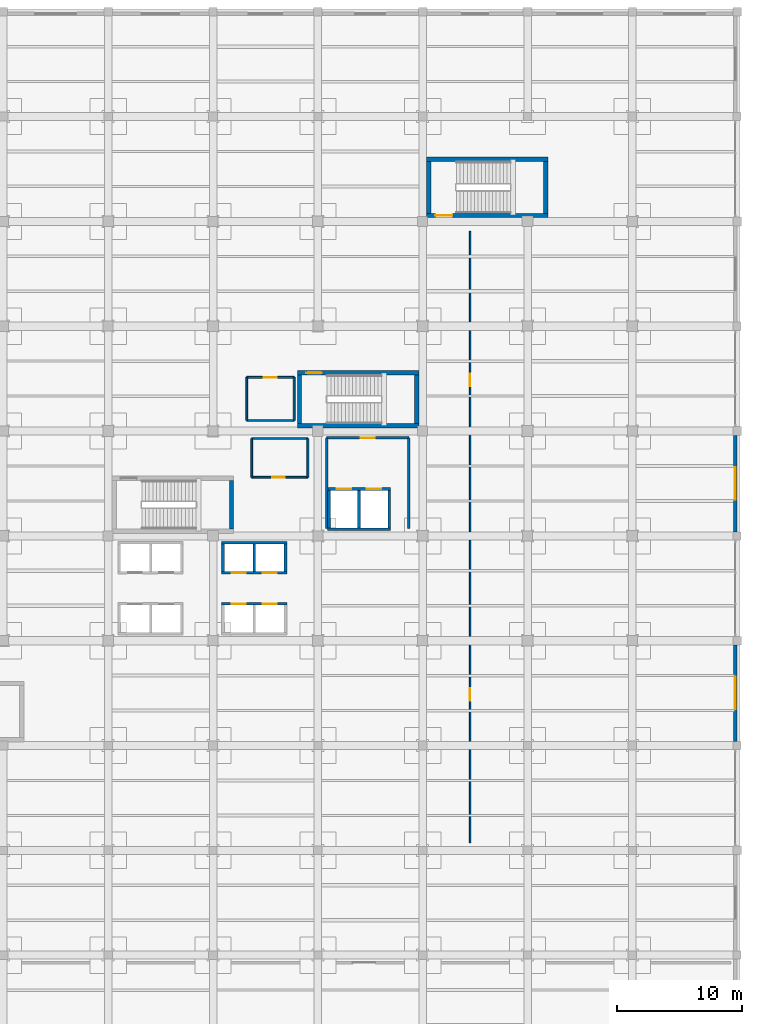
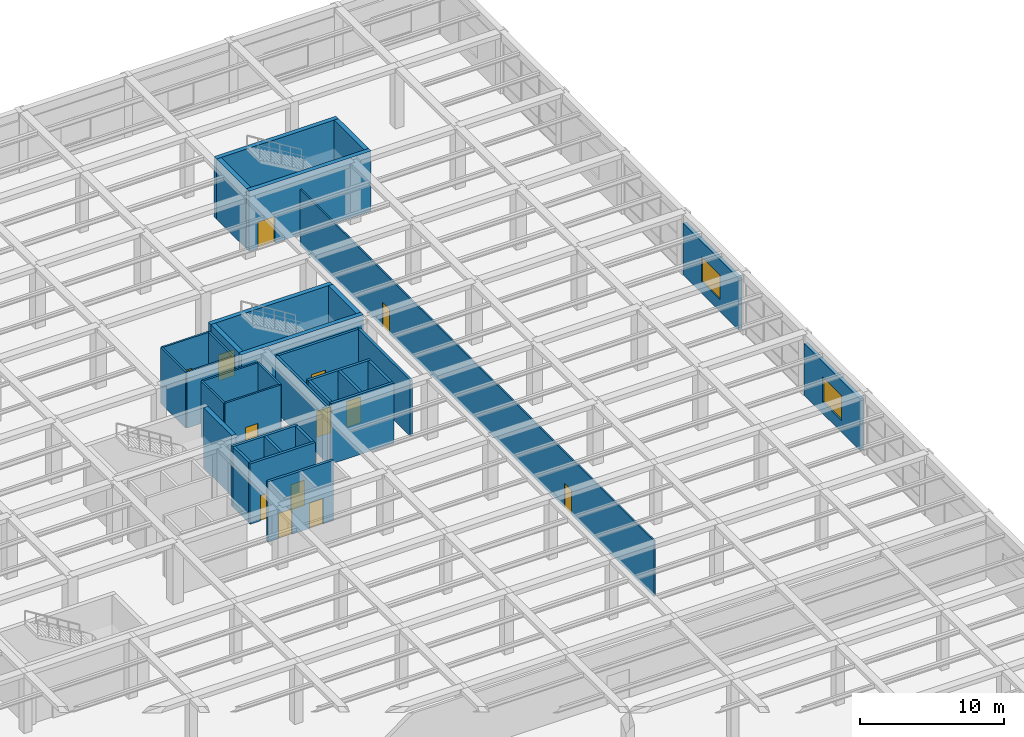
# One storey, part 52 of 65: 34 walls, 13 doors, 2 windows, 15 openings.
"""IFC4 building model written with IfcOpenShell, lengths in metres."""

from ifc_helpers import new_model, si_unit, direction, frame, frame_2d, origin, place, context, subcontext, project, spatial, rectangle, extrude, material, layer, layer_set, type_object, element, fill, save


model = new_model("IFC4")

# Units and contexts
model_context = context("Model", 3, precision=1e-05, world=origin(), true_north=direction((0.0, 1.0)))
body_context = subcontext(model_context, "Body", "Model", "MODEL_VIEW")
ifc_project = project(units=[si_unit("LENGTHUNIT", "METRE"), si_unit("AREAUNIT", "SQUARE_METRE"), si_unit("VOLUMEUNIT", "CUBIC_METRE"), si_unit("PLANEANGLEUNIT", "RADIAN"), si_unit("MASSUNIT", "GRAM", prefix="KILO")], contexts=[model_context])

# Site, building, storey
site_placement = place(None, origin())
site = spatial("IfcSite", under=ifc_project, at=site_placement, CompositionType="ELEMENT")
building_placement = place(site_placement, origin())
building = spatial("IfcBuilding", under=site, at=building_placement, Name="Almacenes y Pasaje Nevantli", CompositionType="ELEMENT")
storey_placement = place(building_placement, frame((0.0, 0.0, 16.800048828125)))
storey = spatial("IfcBuildingStorey", under=building, at=storey_placement, Name="L04", CompositionType="ELEMENT", Elevation=16.800048828125)

# Wall, opening, door
ifc_material_1 = material(Name="Fire-Rated Concrete Blockwork", Category="masonry")
ifc_layer_1 = layer(ifc_material_1, 0.199951171875)
ifc_layer_set_1 = layer_set([ifc_layer_1], Name="Fire-Rated Concrete Blockwork")
wall_type_1 = type_object("IfcWallType", Name="WL-COMP-200", PredefinedType="PARTITIONING", material=ifc_layer_set_1)
wall_1_placement = place(storey_placement, frame((135.10009765625, 83.449951171875, 0.0), z_axis=(0.0, 0.0, 1.0), x_axis=(1.0, 0.0, 0.0)))
wall_1 = element("IfcWall", 1, at=wall_1_placement, inside=storey, type_object=wall_type_1, Name="L04 Interior Partition Wall IW-200 #82", PredefinedType="PARTITIONING", context=body_context, shape_type="SweptSolid", body=[
    extrude(rectangle(XDim=6.599853515625, YDim=0.199951171875, at=frame_2d((3.2998046875, 0.0))), origin(), (0.0, 0.0, 1.0), 4.719970703125),
])
opening_1_placement = place(wall_1_placement, frame((2.75, 0.0, 0.0)))
opening_1 = element("IfcOpeningElement", 2, at=opening_1_placement, cuts=wall_1, Name="Opening ID-L04-041", PredefinedType="OPENING", context=body_context, shape_type="SweptSolid", body=[
    extrude(rectangle(XDim=1.10009765625, YDim=2.199951171875, at=frame_2d((0.550048828125, 1.10009765625))), frame((0.0, 0.10986328125, 0.0), z_axis=(0.0, -1.0, 0.0), x_axis=(1.0, 0.0, 0.0)), (0.0, 0.0, 1.0), 0.219970703125),
])
ifc_material_2 = material(Name="Galvanized Fire-Rated Steel", Category="steel")
door_type_1 = type_object("IfcDoorType", Name="DR-FD90-1100R", OperationType="SINGLE_SWING_RIGHT", PredefinedType="DOOR", material=ifc_material_2)
door_1_placement = place(opening_1_placement, origin())
door_1 = element("IfcDoor", 3, at=door_1_placement, inside=storey, type_object=door_type_1, Name="L04 Firefighting Lobby Door", OperationType="SINGLE_SWING_RIGHT", OverallHeight=2.199951171875, OverallWidth=1.10009765625, PredefinedType="DOOR", context=body_context, shape_type="SweptSolid", body=[
    extrude(rectangle(XDim=1.10009765625, YDim=2.199951171875, at=frame_2d((0.550048828125, 1.10009765625))), frame((0.0, 0.02490234375, 0.0), z_axis=(0.0, -1.0, 0.0), x_axis=(1.0, 0.0, 0.0)), (0.0, 0.0, 1.0), 0.050048828125),
])
fill(opening_1, door_1)

# Walls
for number, where, z_axis, x_axis, name in (
    (4, (135.10009765625, 76.199951171875, 0.0), (0.0, 0.0, 1.0), (0.0, 1.0, 0.0), "L04 Interior Partition Wall IW-200 #83"),
    (5, (141.699951171875, 76.199951171875, 0.0), (0.0, 0.0, 1.0), (0.0, 1.0, 0.0), "L04 Interior Partition Wall IW-200 #84"),
):
    element("IfcWall", number, at=place(storey_placement, frame(where, z_axis=z_axis, x_axis=x_axis)), inside=storey, type_object=wall_type_1, Name=name, PredefinedType="PARTITIONING", context=body_context, shape_type="SweptSolid", body=[
        extrude(rectangle(XDim=7.25, YDim=0.199951171875, at=frame_2d((3.625, 0.0))), origin(), (0.0, 0.0, 1.0), 4.719970703125),
    ])
ifc_material_3 = material(Name="Concrete C45/55", Category="concrete")
ifc_layer_2 = layer(ifc_material_3, 0.35009765625)
ifc_layer_set_2 = layer_set([ifc_layer_2], Name="Concrete C45/55")
wall_type_2 = type_object("IfcWallType", Name="WL-CORE-350", PredefinedType="SHEAR", material=ifc_layer_set_2)
wall_2_placement = place(storey_placement, frame((127.47509765625, 76.14990234375, 0.0), z_axis=(0.0, 0.0, 1.0), x_axis=(0.0, 1.0, 0.0)))
element("IfcWall", 6, at=wall_2_placement, inside=storey, type_object=wall_type_2, Name="L04 Exit Stair ST-01 East Core Shear Wall", PredefinedType="SHEAR", context=body_context, shape_type="SweptSolid", body=[
    extrude(rectangle(XDim=3.89013671875, YDim=0.35009765625, at=frame_2d((1.945068359375, 0.0))), origin(), (0.0, 0.0, 1.0), 5.099853515625),
])
wall_3_placement = place(storey_placement, frame((132.75, 84.425048828125, 0.0), z_axis=(0.0, 0.0, 1.0), x_axis=(1.0, 0.0, 0.0)))
element("IfcWall", 7, at=wall_3_placement, inside=storey, type_object=wall_type_2, Name="L04 Exit Stair ST-02 South Core Shear Wall", PredefinedType="SHEAR", context=body_context, shape_type="SweptSolid", body=[
    extrude(rectangle(XDim=9.75, YDim=0.35009765625, at=frame_2d((4.875, 0.0))), origin(), (0.0, 0.0, 1.0), 5.099853515625),
])

# Wall, opening, door
wall_4_placement = place(storey_placement, frame((132.75, 88.6650390625, 0.0), z_axis=(0.0, 0.0, 1.0), x_axis=(1.0, 0.0, 0.0)))
wall_4 = element("IfcWall", 8, at=wall_4_placement, inside=storey, type_object=wall_type_2, Name="L04 Exit Stair ST-02 North Core Shear Wall", PredefinedType="SHEAR", context=body_context, shape_type="SweptSolid", body=[
    extrude(rectangle(XDim=9.75, YDim=0.35009765625, at=frame_2d((4.875, 0.0))), origin(), (0.0, 0.0, 1.0), 5.099853515625),
])
opening_2_placement = place(wall_4_placement, frame((0.719970703125, 0.0, 0.0)))
opening_2 = element("IfcOpeningElement", 9, at=opening_2_placement, cuts=wall_4, Name="Opening SD-02-L04", PredefinedType="OPENING", context=body_context, shape_type="SweptSolid", body=[
    extrude(rectangle(XDim=1.25, YDim=2.199951171875, at=frame_2d((0.625, 1.10009765625))), frame((0.0, 0.18505859375, 0.0), z_axis=(0.0, -1.0, 0.0), x_axis=(1.0, 0.0, 0.0)), (0.0, 0.0, 1.0), 0.3701171875),
])
ifc_material_4 = material(Name="Galvanized Fire-Rated Steel", Category="steel")
door_type_2 = type_object("IfcDoorType", Name="DR-STAIR-1250R", OperationType="SINGLE_SWING_RIGHT", PredefinedType="DOOR", material=ifc_material_4)
door_2_placement = place(opening_2_placement, origin())
door_2 = element("IfcDoor", 10, at=door_2_placement, inside=storey, type_object=door_type_2, Name="L04 Smokeproof Exit Stair ST-02 Fire Door", OperationType="SINGLE_SWING_RIGHT", OverallHeight=2.199951171875, OverallWidth=1.25, PredefinedType="DOOR", context=body_context, shape_type="SweptSolid", body=[
    extrude(rectangle(XDim=1.25, YDim=2.199951171875, at=frame_2d((0.625, 1.10009765625))), frame((0.0, 0.02490234375, 0.0), z_axis=(0.0, -1.0, 0.0), x_axis=(1.0, 0.0, 0.0)), (0.0, 0.0, 1.0), 0.050048828125),
])
fill(opening_2, door_2)

# Walls
for number, where, z_axis, x_axis, name in (
    (11, (132.925048828125, 84.60009765625, 0.0), (0.0, 0.0, 1.0), (0.0, 1.0, 0.0), "L04 Exit Stair ST-02 West Core Shear Wall"),
    (12, (142.324951171875, 84.60009765625, 0.0), (0.0, 0.0, 1.0), (0.0, 1.0, 0.0), "L04 Exit Stair ST-02 East Core Shear Wall"),
):
    element("IfcWall", number, at=place(storey_placement, frame(where, z_axis=z_axis, x_axis=x_axis)), inside=storey, type_object=wall_type_2, Name=name, PredefinedType="SHEAR", context=body_context, shape_type="SweptSolid", body=[
        extrude(rectangle(XDim=3.889892578125, YDim=0.35009765625, at=frame_2d((1.94482421875, 0.0))), origin(), (0.0, 0.0, 1.0), 5.099853515625),
    ])

# Wall, opening, door
wall_5_placement = place(storey_placement, frame((143.10009765625, 101.27490234375, 0.0), z_axis=(0.0, 0.0, 1.0), x_axis=(1.0, 0.0, 0.0)))
wall_5 = element("IfcWall", 13, at=wall_5_placement, inside=storey, type_object=wall_type_2, Name="L04 Exit Stair ST-07 South Core Shear Wall", PredefinedType="SHEAR", context=body_context, shape_type="SweptSolid", body=[
    extrude(rectangle(XDim=9.75, YDim=0.35009765625, at=frame_2d((4.875, 0.0))), origin(), (0.0, 0.0, 1.0), 5.099853515625),
])
opening_3_placement = place(wall_5_placement, frame((0.719970703125, 0.0, 0.0)))
opening_3 = element("IfcOpeningElement", 14, at=opening_3_placement, cuts=wall_5, Name="Opening SD-07-L04", PredefinedType="OPENING", context=body_context, shape_type="SweptSolid", body=[
    extrude(rectangle(XDim=1.35009765625, YDim=2.25, at=frame_2d((0.675048828125, 1.125))), frame((0.0, 0.18505859375, 0.0), z_axis=(0.0, -1.0, 0.0), x_axis=(1.0, 0.0, 0.0)), (0.0, 0.0, 1.0), 0.3701171875),
])
ifc_material_5 = material(Name="Galvanized Fire-Rated Steel", Category="steel")
door_type_3 = type_object("IfcDoorType", Name="DR-STAIR-1350", OperationType="SINGLE_SWING_LEFT", PredefinedType="DOOR", material=ifc_material_5)
door_3_placement = place(opening_3_placement, origin())
door_3 = element("IfcDoor", 15, at=door_3_placement, inside=storey, type_object=door_type_3, Name="L04 Smokeproof Exit Stair ST-07 Fire Door", OperationType="SINGLE_SWING_LEFT", OverallHeight=2.25, OverallWidth=1.35009765625, PredefinedType="DOOR", context=body_context, shape_type="SweptSolid", body=[
    extrude(rectangle(XDim=1.35009765625, YDim=2.25, at=frame_2d((0.675048828125, 1.125))), frame((0.0, 0.02490234375, 0.0), z_axis=(0.0, -1.0, 0.0), x_axis=(1.0, 0.0, 0.0)), (0.0, 0.0, 1.0), 0.050048828125),
])
fill(opening_3, door_3)

# Walls
wall_6_placement = place(storey_placement, frame((143.10009765625, 105.77490234375, 0.0), z_axis=(0.0, 0.0, 1.0), x_axis=(1.0, 0.0, 0.0)))
element("IfcWall", 16, at=wall_6_placement, inside=storey, type_object=wall_type_2, Name="L04 Exit Stair ST-07 North Core Shear Wall", PredefinedType="SHEAR", context=body_context, shape_type="SweptSolid", body=[
    extrude(rectangle(XDim=9.75, YDim=0.35009765625, at=frame_2d((4.875, 0.0))), origin(), (0.0, 0.0, 1.0), 5.099853515625),
])
for number, where, z_axis, x_axis, name in (
    (17, (143.27490234375, 101.449951171875, 0.0), (0.0, 0.0, 1.0), (0.0, 1.0, 0.0), "L04 Exit Stair ST-07 West Core Shear Wall"),
    (18, (152.675048828125, 101.449951171875, 0.0), (0.0, 0.0, 1.0), (0.0, 1.0, 0.0), "L04 Exit Stair ST-07 East Core Shear Wall"),
):
    element("IfcWall", number, at=place(storey_placement, frame(where, z_axis=z_axis, x_axis=x_axis)), inside=storey, type_object=wall_type_2, Name=name, PredefinedType="SHEAR", context=body_context, shape_type="SweptSolid", body=[
        extrude(rectangle(XDim=4.150146484375, YDim=0.35009765625, at=frame_2d((2.0751953125, 0.0))), origin(), (0.0, 0.0, 1.0), 5.099853515625),
    ])

# Wall, opening, window
ifc_material_6 = material(Name="Architectural Precast Concrete C35/45 Spandrel Wall", Category="concrete")
ifc_layer_3 = layer(ifc_material_6, 0.280029296875)
ifc_layer_set_3 = layer_set([ifc_layer_3], Name="Architectural Precast Concrete C35/45 Spandrel Wall")
wall_type_3 = type_object("IfcWallType", Name="WL-EXT-CANTERA-280", PredefinedType="SOLIDWALL", material=ifc_layer_set_3)
wall_7_placement = place(storey_placement, frame((167.85009765625, 59.1279296875, 0.0), z_axis=(0.0, 0.0, 1.0), x_axis=(0.0, 1.0, 0.0)))
wall_7 = element("IfcWall", 19, at=wall_7_placement, inside=storey, type_object=wall_type_3, Name="L04 East Facade Wall Bay 8", PredefinedType="SOLIDWALL", context=body_context, shape_type="SweptSolid", body=[
    extrude(rectangle(XDim=7.719970703125, YDim=0.280029296875, at=frame_2d((3.85986328125, 0.0))), origin(), (0.0, 0.0, 1.0), 4.3798828125),
])
opening_4_placement = place(wall_7_placement, frame((2.572021484375, 0.0, 1.0)))
opening_4 = element("IfcOpeningElement", 20, at=opening_4_placement, cuts=wall_7, Name="Opening WT-13-170", PredefinedType="OPENING", context=body_context, shape_type="SweptSolid", body=[
    extrude(rectangle(XDim=2.60009765625, YDim=2.10009765625, at=frame_2d((1.300048828125, 1.050048828125))), frame((0.0, 0.14990234375, 0.0), z_axis=(0.0, -1.0, 0.0), x_axis=(1.0, 0.0, 0.0)), (0.0, 0.0, 1.0), 0.300048828125),
])
ifc_material_7 = material(Name="Thermally Broken Aluminium and Low-E Double Glazing", Category="aluminium")
window_type = type_object("IfcWindowType", Name="WN-POD-2600x2100", PartitioningType="SINGLE_PANEL", PredefinedType="WINDOW", material=ifc_material_7)
window_1_placement = place(opening_4_placement, origin())
window_1 = element("IfcWindow", 21, at=window_1_placement, inside=storey, type_object=window_type, Name="L04 Exterior Window WT-13 #170", OverallHeight=2.10009765625, OverallWidth=2.60009765625, PartitioningType="SINGLE_PANEL", PredefinedType="WINDOW", context=body_context, shape_type="SweptSolid", body=[
    extrude(rectangle(XDim=2.60009765625, YDim=2.10009765625, at=frame_2d((1.300048828125, 1.050048828125))), frame((0.0, 0.030029296875, 0.0), z_axis=(0.0, -1.0, 0.0), x_axis=(1.0, 0.0, 0.0)), (0.0, 0.0, 1.0), 0.06005859375),
])
fill(opening_4, window_1)

wall_8_placement = place(storey_placement, frame((167.85009765625, 75.927978515625, 0.0), z_axis=(0.0, 0.0, 1.0), x_axis=(0.0, 1.0, 0.0)))
wall_8 = element("IfcWall", 22, at=wall_8_placement, inside=storey, type_object=wall_type_3, Name="L04 East Facade Wall Bay 10", PredefinedType="SOLIDWALL", context=body_context, shape_type="SweptSolid", body=[
    extrude(rectangle(XDim=7.719970703125, YDim=0.280029296875, at=frame_2d((3.85986328125, 0.0))), origin(), (0.0, 0.0, 1.0), 4.3798828125),
])
opening_5_placement = place(wall_8_placement, frame((2.572021484375, 0.0, 1.0)))
opening_5 = element("IfcOpeningElement", 23, at=opening_5_placement, cuts=wall_8, Name="Opening WT-13-171", PredefinedType="OPENING", context=body_context, shape_type="SweptSolid", body=[
    extrude(rectangle(XDim=2.60009765625, YDim=2.10009765625, at=frame_2d((1.300048828125, 1.050048828125))), frame((0.0, 0.14990234375, 0.0), z_axis=(0.0, -1.0, 0.0), x_axis=(1.0, 0.0, 0.0)), (0.0, 0.0, 1.0), 0.300048828125),
])
window_2_placement = place(opening_5_placement, origin())
window_2 = element("IfcWindow", 24, at=window_2_placement, inside=storey, type_object=window_type, Name="L04 Exterior Window WT-13 #171", OverallHeight=2.10009765625, OverallWidth=2.60009765625, PartitioningType="SINGLE_PANEL", PredefinedType="WINDOW", context=body_context, shape_type="SweptSolid", body=[
    extrude(rectangle(XDim=2.60009765625, YDim=2.10009765625, at=frame_2d((1.300048828125, 1.050048828125))), frame((0.0, 0.030029296875, 0.0), z_axis=(0.0, -1.0, 0.0), x_axis=(1.0, 0.0, 0.0)), (0.0, 0.0, 1.0), 0.06005859375),
])
fill(opening_5, window_2)

# Wall, openings, doors
ifc_material_8 = material(Name="Standard Steel-Stud Gypsum Partition", Category="steel")
ifc_layer_4 = layer(ifc_material_8, 0.1201171875)
ifc_layer_set_4 = layer_set([ifc_layer_4], Name="Standard Steel-Stud Gypsum Partition")
wall_type_4 = type_object("IfcWallType", Name="WL-PART-120", PredefinedType="PARTITIONING", material=ifc_layer_set_4)
wall_9_placement = place(storey_placement, frame((146.60009765625, 51.0, 0.0), z_axis=(0.0, 0.0, 1.0), x_axis=(0.0, 1.0, 0.0)))
wall_9 = element("IfcWall", 25, at=wall_9_placement, inside=storey, type_object=wall_type_4, Name="L04 Interior Partition Wall IW-120 #95", PredefinedType="PARTITIONING", context=body_context, shape_type="SweptSolid", body=[
    extrude(rectangle(XDim=49.0, YDim=0.1201171875, at=frame_2d((24.5, 0.0))), origin(), (0.0, 0.0, 1.0), 4.719970703125),
])
opening_6_placement = place(wall_9_placement, frame((11.39990234375, 0.0, 0.0)))
opening_6 = element("IfcOpeningElement", 26, at=opening_6_placement, cuts=wall_9, Name="Opening ID-L04-048", PredefinedType="OPENING", context=body_context, shape_type="SweptSolid", body=[
    extrude(rectangle(XDim=1.0, YDim=2.10009765625, at=frame_2d((0.5, 1.050048828125))), frame((0.0, 0.070068359375, 0.0), z_axis=(0.0, -1.0, 0.0), x_axis=(1.0, 0.0, 0.0)), (0.0, 0.0, 1.0), 0.14013671875),
])
opening_7_placement = place(wall_9_placement, frame((36.60009765625, 0.0, 0.0)))
opening_7 = element("IfcOpeningElement", 27, at=opening_7_placement, cuts=wall_9, Name="Opening ID-L04-049", PredefinedType="OPENING", context=body_context, shape_type="SweptSolid", body=[
    extrude(rectangle(XDim=1.0, YDim=2.10009765625, at=frame_2d((0.5, 1.050048828125))), frame((0.0, 0.070068359375, 0.0), z_axis=(0.0, -1.0, 0.0), x_axis=(1.0, 0.0, 0.0)), (0.0, 0.0, 1.0), 0.14013671875),
])
ifc_material_9 = material(Name="Powder-Coated Hollow Metal", Category="steel")
door_type_4 = type_object("IfcDoorType", Name="DR-INT-1000", OperationType="SINGLE_SWING_LEFT", PredefinedType="DOOR", material=ifc_material_9)
door_4_placement = place(opening_6_placement, origin())
door_4 = element("IfcDoor", 28, at=door_4_placement, inside=storey, type_object=door_type_4, Name="L04 L04 Management Office Door 1", OperationType="SINGLE_SWING_LEFT", OverallHeight=2.10009765625, OverallWidth=1.0, PredefinedType="DOOR", context=body_context, shape_type="SweptSolid", body=[
    extrude(rectangle(XDim=1.0, YDim=2.10009765625, at=frame_2d((0.5, 1.050048828125))), frame((0.0, 0.02490234375, 0.0), z_axis=(0.0, -1.0, 0.0), x_axis=(1.0, 0.0, 0.0)), (0.0, 0.0, 1.0), 0.050048828125),
])
fill(opening_6, door_4)
ifc_material_10 = material(Name="Powder-Coated Hollow Metal", Category="steel")
door_type_5 = type_object("IfcDoorType", Name="DR-INT-1000R", OperationType="SINGLE_SWING_RIGHT", PredefinedType="DOOR", material=ifc_material_10)
door_5_placement = place(opening_7_placement, origin())
door_5 = element("IfcDoor", 29, at=door_5_placement, inside=storey, type_object=door_type_5, Name="L04 L04 Management Office Door 2", OperationType="SINGLE_SWING_RIGHT", OverallHeight=2.10009765625, OverallWidth=1.0, PredefinedType="DOOR", context=body_context, shape_type="SweptSolid", body=[
    extrude(rectangle(XDim=1.0, YDim=2.10009765625, at=frame_2d((0.5, 1.050048828125))), frame((0.0, 0.02490234375, 0.0), z_axis=(0.0, -1.0, 0.0), x_axis=(1.0, 0.0, 0.0)), (0.0, 0.0, 1.0), 0.050048828125),
])
fill(opening_7, door_5)

# Wall, opening, door
ifc_material_11 = material(Name="Acoustic Steel-Stud Gypsum Partition", Category="steel")
ifc_layer_5 = layer(ifc_material_11, 0.14990234375)
ifc_layer_set_5 = layer_set([ifc_layer_5], Name="Acoustic Steel-Stud Gypsum Partition")
wall_type_5 = type_object("IfcWallType", Name="WL-PART-150", PredefinedType="PARTITIONING", material=ifc_layer_set_5)
wall_10_placement = place(storey_placement, frame((129.10009765625, 80.300048828125, 0.0), z_axis=(0.0, 0.0, 1.0), x_axis=(1.0, 0.0, 0.0)))
wall_10 = element("IfcWall", 30, at=wall_10_placement, inside=storey, type_object=wall_type_5, Name="L04 Interior Partition Wall IW-150 #85", PredefinedType="PARTITIONING", context=body_context, shape_type="SweptSolid", body=[
    extrude(rectangle(XDim=4.5, YDim=0.14990234375, at=frame_2d((2.25, 0.0))), origin(), (0.0, 0.0, 1.0), 4.719970703125),
])
opening_8_placement = place(wall_10_placement, frame((1.64990234375, 0.0, 0.0)))
opening_8 = element("IfcOpeningElement", 31, at=opening_8_placement, cuts=wall_10, Name="Opening ID-L04-042", PredefinedType="OPENING", context=body_context, shape_type="SweptSolid", body=[
    extrude(rectangle(XDim=1.0, YDim=2.10009765625, at=frame_2d((0.5, 1.050048828125))), frame((0.0, 0.0849609375, 0.0), z_axis=(0.0, -1.0, 0.0), x_axis=(1.0, 0.0, 0.0)), (0.0, 0.0, 1.0), 0.169921875),
])
door_6_placement = place(opening_8_placement, origin())
door_6 = element("IfcDoor", 32, at=door_6_placement, inside=storey, type_object=door_type_4, Name="L04 Staff and Public WC Door", OperationType="SINGLE_SWING_LEFT", OverallHeight=2.10009765625, OverallWidth=1.0, PredefinedType="DOOR", context=body_context, shape_type="SweptSolid", body=[
    extrude(rectangle(XDim=1.0, YDim=2.10009765625, at=frame_2d((0.5, 1.050048828125))), frame((0.0, 0.02490234375, 0.0), z_axis=(0.0, -1.0, 0.0), x_axis=(1.0, 0.0, 0.0)), (0.0, 0.0, 1.0), 0.050048828125),
])
fill(opening_8, door_6)

# Walls
wall_11_placement = place(storey_placement, frame((129.10009765625, 83.39990234375, 0.0), z_axis=(0.0, 0.0, 1.0), x_axis=(1.0, 0.0, 0.0)))
element("IfcWall", 33, at=wall_11_placement, inside=storey, type_object=wall_type_5, Name="L04 Interior Partition Wall IW-150 #86", PredefinedType="PARTITIONING", context=body_context, shape_type="SweptSolid", body=[
    extrude(rectangle(XDim=4.5, YDim=0.14990234375, at=frame_2d((2.25, 0.0))), origin(), (0.0, 0.0, 1.0), 4.719970703125),
])
for number, where, z_axis, x_axis, name in (
    (34, (129.10009765625, 80.300048828125, 0.0), (0.0, 0.0, 1.0), (0.0, 1.0, 0.0), "L04 Interior Partition Wall IW-150 #87"),
    (35, (133.60009765625, 80.300048828125, 0.0), (0.0, 0.0, 1.0), (0.0, 1.0, 0.0), "L04 Interior Partition Wall IW-150 #88"),
):
    element("IfcWall", number, at=place(storey_placement, frame(where, z_axis=z_axis, x_axis=x_axis)), inside=storey, type_object=wall_type_5, Name=name, PredefinedType="PARTITIONING", context=body_context, shape_type="SweptSolid", body=[
        extrude(rectangle(XDim=3.099853515625, YDim=0.14990234375, at=frame_2d((1.5498046875, 0.0))), origin(), (0.0, 0.0, 1.0), 4.719970703125),
    ])

# Wall, opening, door
wall_12_placement = place(storey_placement, frame((128.699951171875, 88.300048828125, 0.0), z_axis=(0.0, 0.0, 1.0), x_axis=(1.0, 0.0, 0.0)))
wall_12 = element("IfcWall", 36, at=wall_12_placement, inside=storey, type_object=wall_type_5, Name="L04 Interior Partition Wall IW-150 #89", PredefinedType="PARTITIONING", context=body_context, shape_type="SweptSolid", body=[
    extrude(rectangle(XDim=3.800048828125, YDim=0.14990234375, at=frame_2d((1.89990234375, 0.0))), origin(), (0.0, 0.0, 1.0), 4.719970703125),
])
opening_9_placement = place(wall_12_placement, frame((1.35009765625, 0.0, 0.0)))
opening_9 = element("IfcOpeningElement", 37, at=opening_9_placement, cuts=wall_12, Name="Opening ID-L04-043", PredefinedType="OPENING", context=body_context, shape_type="SweptSolid", body=[
    extrude(rectangle(XDim=1.050048828125, YDim=2.14990234375, at=frame_2d((0.52490234375, 1.074951171875))), frame((0.0, 0.0849609375, 0.0), z_axis=(0.0, -1.0, 0.0), x_axis=(1.0, 0.0, 0.0)), (0.0, 0.0, 1.0), 0.169921875),
])
ifc_material_12 = material(Name="Powder-Coated Hollow Metal", Category="steel")
door_type_6 = type_object("IfcDoorType", Name="DR-ACC-1050", OperationType="SINGLE_SWING_RIGHT", PredefinedType="DOOR", material=ifc_material_12)
door_7_placement = place(opening_9_placement, origin())
door_7 = element("IfcDoor", 38, at=door_7_placement, inside=storey, type_object=door_type_6, Name="L04 Accessible WC Door", OperationType="SINGLE_SWING_RIGHT", OverallHeight=2.14990234375, OverallWidth=1.050048828125, PredefinedType="DOOR", context=body_context, shape_type="SweptSolid", body=[
    extrude(rectangle(XDim=1.050048828125, YDim=2.14990234375, at=frame_2d((0.52490234375, 1.074951171875))), frame((0.0, 0.02490234375, 0.0), z_axis=(0.0, -1.0, 0.0), x_axis=(1.0, 0.0, 0.0)), (0.0, 0.0, 1.0), 0.050048828125),
])
fill(opening_9, door_7)

# Walls
wall_13_placement = place(storey_placement, frame((128.699951171875, 84.85009765625, 0.0), z_axis=(0.0, 0.0, 1.0), x_axis=(1.0, 0.0, 0.0)))
element("IfcWall", 39, at=wall_13_placement, inside=storey, type_object=wall_type_5, Name="L04 Interior Partition Wall IW-150 #90", PredefinedType="PARTITIONING", context=body_context, shape_type="SweptSolid", body=[
    extrude(rectangle(XDim=3.800048828125, YDim=0.14990234375, at=frame_2d((1.89990234375, 0.0))), origin(), (0.0, 0.0, 1.0), 4.719970703125),
])
for number, where, z_axis, x_axis, name in (
    (40, (128.699951171875, 84.85009765625, 0.0), (0.0, 0.0, 1.0), (0.0, 1.0, 0.0), "L04 Interior Partition Wall IW-150 #91"),
    (41, (132.5, 84.85009765625, 0.0), (0.0, 0.0, 1.0), (0.0, 1.0, 0.0), "L04 Interior Partition Wall IW-150 #92"),
):
    element("IfcWall", number, at=place(storey_placement, frame(where, z_axis=z_axis, x_axis=x_axis)), inside=storey, type_object=wall_type_5, Name=name, PredefinedType="PARTITIONING", context=body_context, shape_type="SweptSolid", body=[
        extrude(rectangle(XDim=3.449951171875, YDim=0.14990234375, at=frame_2d((1.72509765625, 0.0))), origin(), (0.0, 0.0, 1.0), 4.719970703125),
    ])

# Wall, openings, doors
ifc_material_13 = material(Name="Concrete C45/55", Category="concrete")
ifc_layer_6 = layer(ifc_material_13, 0.2099609375)
ifc_layer_set_6 = layer_set([ifc_layer_6], Name="Concrete C45/55")
wall_type_6 = type_object("IfcWallType", Name="WL-SHAFT-210", PredefinedType="SHEAR", material=ifc_layer_set_6)
wall_14_placement = place(storey_placement, frame((126.68994140625, 70.155029296875, 0.0), z_axis=(0.0, 0.0, 1.0), x_axis=(1.0, 0.0, 0.0)))
wall_14 = element("IfcWall", 42, at=wall_14_placement, inside=storey, type_object=wall_type_6, Name="L04 Lift Hoistway ELV-P01-ELV-P02 North Wall", PredefinedType="SHEAR", context=body_context, shape_type="SweptSolid", body=[
    extrude(rectangle(XDim=5.219970703125, YDim=0.2099609375, at=frame_2d((2.60986328125, 0.0))), origin(), (0.0, 0.0, 1.0), 5.099853515625),
])
opening_10_placement = place(wall_14_placement, frame((0.81005859375, 0.0, 0.0)))
opening_10 = element("IfcOpeningElement", 43, at=opening_10_placement, cuts=wall_14, Name="Opening LD-P01-L04", PredefinedType="OPENING", context=body_context, shape_type="SweptSolid", body=[
    extrude(rectangle(XDim=1.10009765625, YDim=2.14990234375, at=frame_2d((0.550048828125, 1.074951171875))), frame((0.0, 0.114990234375, 0.0), z_axis=(0.0, -1.0, 0.0), x_axis=(1.0, 0.0, 0.0)), (0.0, 0.0, 1.0), 0.22998046875),
])
opening_11_placement = place(wall_14_placement, frame((3.31005859375, 0.0, 0.0)))
opening_11 = element("IfcOpeningElement", 44, at=opening_11_placement, cuts=wall_14, Name="Opening LD-P02-L04", PredefinedType="OPENING", context=body_context, shape_type="SweptSolid", body=[
    extrude(rectangle(XDim=1.10009765625, YDim=2.14990234375, at=frame_2d((0.550048828125, 1.074951171875))), frame((0.0, 0.114990234375, 0.0), z_axis=(0.0, -1.0, 0.0), x_axis=(1.0, 0.0, 0.0)), (0.0, 0.0, 1.0), 0.22998046875),
])
ifc_material_14 = material(Name="Brushed Stainless Steel", Category="steel")
door_type_7 = type_object("IfcDoorType", Name="DR-LD-PASS-1100", OperationType="DOUBLE_DOOR_SLIDING", PredefinedType="DOOR", material=ifc_material_14)
door_8_placement = place(opening_10_placement, origin())
door_8 = element("IfcDoor", 45, at=door_8_placement, inside=storey, type_object=door_type_7, Name="Lift Landing Door ELV-P01 L04", OperationType="DOUBLE_DOOR_SLIDING", OverallHeight=2.14990234375, OverallWidth=1.10009765625, PredefinedType="DOOR", context=body_context, shape_type="SweptSolid", body=[
    extrude(rectangle(XDim=1.10009765625, YDim=2.14990234375, at=frame_2d((0.550048828125, 1.074951171875))), frame((0.0, 0.02490234375, 0.0), z_axis=(0.0, -1.0, 0.0), x_axis=(1.0, 0.0, 0.0)), (0.0, 0.0, 1.0), 0.050048828125),
])
fill(opening_10, door_8)
door_9_placement = place(opening_11_placement, origin())
door_9 = element("IfcDoor", 46, at=door_9_placement, inside=storey, type_object=door_type_7, Name="Lift Landing Door ELV-P02 L04", OperationType="DOUBLE_DOOR_SLIDING", OverallHeight=2.14990234375, OverallWidth=1.10009765625, PredefinedType="DOOR", context=body_context, shape_type="SweptSolid", body=[
    extrude(rectangle(XDim=1.10009765625, YDim=2.14990234375, at=frame_2d((0.550048828125, 1.074951171875))), frame((0.0, 0.02490234375, 0.0), z_axis=(0.0, -1.0, 0.0), x_axis=(1.0, 0.0, 0.0)), (0.0, 0.0, 1.0), 0.050048828125),
])
fill(opening_11, door_9)

wall_15_placement = place(storey_placement, frame((126.68994140625, 72.64501953125, 0.0), z_axis=(0.0, 0.0, 1.0), x_axis=(1.0, 0.0, 0.0)))
wall_15 = element("IfcWall", 47, at=wall_15_placement, inside=storey, type_object=wall_type_6, Name="L04 Lift Hoistway ELV-P03-ELV-P04 South Wall", PredefinedType="SHEAR", context=body_context, shape_type="SweptSolid", body=[
    extrude(rectangle(XDim=5.219970703125, YDim=0.2099609375, at=frame_2d((2.60986328125, 0.0))), origin(), (0.0, 0.0, 1.0), 5.099853515625),
])
opening_12_placement = place(wall_15_placement, frame((0.81005859375, 0.0, 0.0)))
opening_12 = element("IfcOpeningElement", 48, at=opening_12_placement, cuts=wall_15, Name="Opening LD-P03-L04", PredefinedType="OPENING", context=body_context, shape_type="SweptSolid", body=[
    extrude(rectangle(XDim=1.10009765625, YDim=2.14990234375, at=frame_2d((0.550048828125, 1.074951171875))), frame((0.0, 0.114990234375, 0.0), z_axis=(0.0, -1.0, 0.0), x_axis=(1.0, 0.0, 0.0)), (0.0, 0.0, 1.0), 0.22998046875),
])
opening_13_placement = place(wall_15_placement, frame((3.31005859375, 0.0, 0.0)))
opening_13 = element("IfcOpeningElement", 49, at=opening_13_placement, cuts=wall_15, Name="Opening LD-P04-L04", PredefinedType="OPENING", context=body_context, shape_type="SweptSolid", body=[
    extrude(rectangle(XDim=1.10009765625, YDim=2.14990234375, at=frame_2d((0.550048828125, 1.074951171875))), frame((0.0, 0.114990234375, 0.0), z_axis=(0.0, -1.0, 0.0), x_axis=(1.0, 0.0, 0.0)), (0.0, 0.0, 1.0), 0.22998046875),
])
door_10_placement = place(opening_12_placement, origin())
door_10 = element("IfcDoor", 50, at=door_10_placement, inside=storey, type_object=door_type_7, Name="Lift Landing Door ELV-P03 L04", OperationType="DOUBLE_DOOR_SLIDING", OverallHeight=2.14990234375, OverallWidth=1.10009765625, PredefinedType="DOOR", context=body_context, shape_type="SweptSolid", body=[
    extrude(rectangle(XDim=1.10009765625, YDim=2.14990234375, at=frame_2d((0.550048828125, 1.074951171875))), frame((0.0, 0.02490234375, 0.0), z_axis=(0.0, -1.0, 0.0), x_axis=(1.0, 0.0, 0.0)), (0.0, 0.0, 1.0), 0.050048828125),
])
fill(opening_12, door_10)
door_11_placement = place(opening_13_placement, origin())
door_11 = element("IfcDoor", 51, at=door_11_placement, inside=storey, type_object=door_type_7, Name="Lift Landing Door ELV-P04 L04", OperationType="DOUBLE_DOOR_SLIDING", OverallHeight=2.14990234375, OverallWidth=1.10009765625, PredefinedType="DOOR", context=body_context, shape_type="SweptSolid", body=[
    extrude(rectangle(XDim=1.10009765625, YDim=2.14990234375, at=frame_2d((0.550048828125, 1.074951171875))), frame((0.0, 0.02490234375, 0.0), z_axis=(0.0, -1.0, 0.0), x_axis=(1.0, 0.0, 0.0)), (0.0, 0.0, 1.0), 0.050048828125),
])
fill(opening_13, door_11)

# Walls
wall_16_placement = place(storey_placement, frame((126.68994140625, 75.054931640625, 0.0), z_axis=(0.0, 0.0, 1.0), x_axis=(1.0, 0.0, 0.0)))
element("IfcWall", 52, at=wall_16_placement, inside=storey, type_object=wall_type_6, Name="L04 Lift Hoistway ELV-P03-ELV-P04 North Wall", PredefinedType="SHEAR", context=body_context, shape_type="SweptSolid", body=[
    extrude(rectangle(XDim=5.219970703125, YDim=0.2099609375, at=frame_2d((2.60986328125, 0.0))), origin(), (0.0, 0.0, 1.0), 5.099853515625),
])
for number, where, z_axis, x_axis, name in (
    (53, (126.794921875, 72.75, 0.0), (0.0, 0.0, 1.0), (0.0, 1.0, 0.0), "L04 Lift Hoistway ELV-P03 West Wall"),
    (54, (131.804931640625, 72.75, 0.0), (0.0, 0.0, 1.0), (0.0, 1.0, 0.0), "L04 Lift Hoistway ELV-P04 East Wall"),
    (55, (129.300048828125, 72.75, 0.0), (0.0, 0.0, 1.0), (0.0, 1.0, 0.0), "L04 Lift Hoistway Divider Wall ELV-P03/ELV-P04"),
):
    element("IfcWall", number, at=place(storey_placement, frame(where, z_axis=z_axis, x_axis=x_axis)), inside=storey, type_object=wall_type_6, Name=name, PredefinedType="SHEAR", context=body_context, shape_type="SweptSolid", body=[
        extrude(rectangle(XDim=2.199951171875, YDim=0.2099609375, at=frame_2d((1.10009765625, 0.0))), origin(), (0.0, 0.0, 1.0), 5.099853515625),
    ])
wall_17_placement = place(storey_placement, frame((135.18994140625, 76.14501953125, 0.0), z_axis=(0.0, 0.0, 1.0), x_axis=(1.0, 0.0, 0.0)))
element("IfcWall", 56, at=wall_17_placement, inside=storey, type_object=wall_type_6, Name="L04 Lift Hoistway ELV-FF1-ELV-FF2 South Wall", PredefinedType="SHEAR", context=body_context, shape_type="SweptSolid", body=[
    extrude(rectangle(XDim=5.02001953125, YDim=0.2099609375, at=frame_2d((2.510009765625, 0.0))), origin(), (0.0, 0.0, 1.0), 5.099853515625),
])

# Wall, openings, doors
wall_18_placement = place(storey_placement, frame((135.18994140625, 79.35498046875, 0.0), z_axis=(0.0, 0.0, 1.0), x_axis=(1.0, 0.0, 0.0)))
wall_18 = element("IfcWall", 57, at=wall_18_placement, inside=storey, type_object=wall_type_6, Name="L04 Lift Hoistway ELV-FF1-ELV-FF2 North Wall", PredefinedType="SHEAR", context=body_context, shape_type="SweptSolid", body=[
    extrude(rectangle(XDim=5.02001953125, YDim=0.2099609375, at=frame_2d((2.510009765625, 0.0))), origin(), (0.0, 0.0, 1.0), 5.099853515625),
])
opening_14_placement = place(wall_18_placement, frame((0.735107421875, 0.0, 0.0)))
opening_14 = element("IfcOpeningElement", 58, at=opening_14_placement, cuts=wall_18, Name="Opening LD-FF1-L04", PredefinedType="OPENING", context=body_context, shape_type="SweptSolid", body=[
    extrude(rectangle(XDim=1.14990234375, YDim=2.199951171875, at=frame_2d((0.574951171875, 1.10009765625))), frame((0.0, 0.114990234375, 0.0), z_axis=(0.0, -1.0, 0.0), x_axis=(1.0, 0.0, 0.0)), (0.0, 0.0, 1.0), 0.22998046875),
])
opening_15_placement = place(wall_18_placement, frame((3.135009765625, 0.0, 0.0)))
opening_15 = element("IfcOpeningElement", 59, at=opening_15_placement, cuts=wall_18, Name="Opening LD-FF2-L04", PredefinedType="OPENING", context=body_context, shape_type="SweptSolid", body=[
    extrude(rectangle(XDim=1.14990234375, YDim=2.199951171875, at=frame_2d((0.574951171875, 1.10009765625))), frame((0.0, 0.114990234375, 0.0), z_axis=(0.0, -1.0, 0.0), x_axis=(1.0, 0.0, 0.0)), (0.0, 0.0, 1.0), 0.22998046875),
])
ifc_material_15 = material(Name="Fire-Rated Stainless Steel", Category="steel")
door_type_8 = type_object("IfcDoorType", Name="DR-LD-FF-1150", OperationType="DOUBLE_DOOR_SLIDING", PredefinedType="DOOR", material=ifc_material_15)
door_12_placement = place(opening_14_placement, origin())
door_12 = element("IfcDoor", 60, at=door_12_placement, inside=storey, type_object=door_type_8, Name="Lift Landing Door ELV-FF1 L04", OperationType="DOUBLE_DOOR_SLIDING", OverallHeight=2.199951171875, OverallWidth=1.14990234375, PredefinedType="DOOR", context=body_context, shape_type="SweptSolid", body=[
    extrude(rectangle(XDim=1.14990234375, YDim=2.199951171875, at=frame_2d((0.574951171875, 1.10009765625))), frame((0.0, 0.02490234375, 0.0), z_axis=(0.0, -1.0, 0.0), x_axis=(1.0, 0.0, 0.0)), (0.0, 0.0, 1.0), 0.050048828125),
])
fill(opening_14, door_12)
door_13_placement = place(opening_15_placement, origin())
door_13 = element("IfcDoor", 61, at=door_13_placement, inside=storey, type_object=door_type_8, Name="Lift Landing Door ELV-FF2 L04", OperationType="DOUBLE_DOOR_SLIDING", OverallHeight=2.199951171875, OverallWidth=1.14990234375, PredefinedType="DOOR", context=body_context, shape_type="SweptSolid", body=[
    extrude(rectangle(XDim=1.14990234375, YDim=2.199951171875, at=frame_2d((0.574951171875, 1.10009765625))), frame((0.0, 0.02490234375, 0.0), z_axis=(0.0, -1.0, 0.0), x_axis=(1.0, 0.0, 0.0)), (0.0, 0.0, 1.0), 0.050048828125),
])
fill(opening_15, door_13)

# Walls
for number, where, z_axis, x_axis, name in (
    (62, (135.294921875, 76.25, 0.0), (0.0, 0.0, 1.0), (0.0, 1.0, 0.0), "L04 Lift Hoistway ELV-FF1 West Wall"),
    (63, (140.10498046875, 76.25, 0.0), (0.0, 0.0, 1.0), (0.0, 1.0, 0.0), "L04 Lift Hoistway ELV-FF2 East Wall"),
    (64, (137.699951171875, 76.25, 0.0), (0.0, 0.0, 1.0), (0.0, 1.0, 0.0), "L04 Lift Hoistway Divider Wall ELV-FF1/ELV-FF2"),
):
    element("IfcWall", number, at=place(storey_placement, frame(where, z_axis=z_axis, x_axis=x_axis)), inside=storey, type_object=wall_type_6, Name=name, PredefinedType="SHEAR", context=body_context, shape_type="SweptSolid", body=[
        extrude(rectangle(XDim=3.0, YDim=0.2099609375, at=frame_2d((1.5, 0.0))), origin(), (0.0, 0.0, 1.0), 5.099853515625),
    ])

save(model, "model.ifc")
